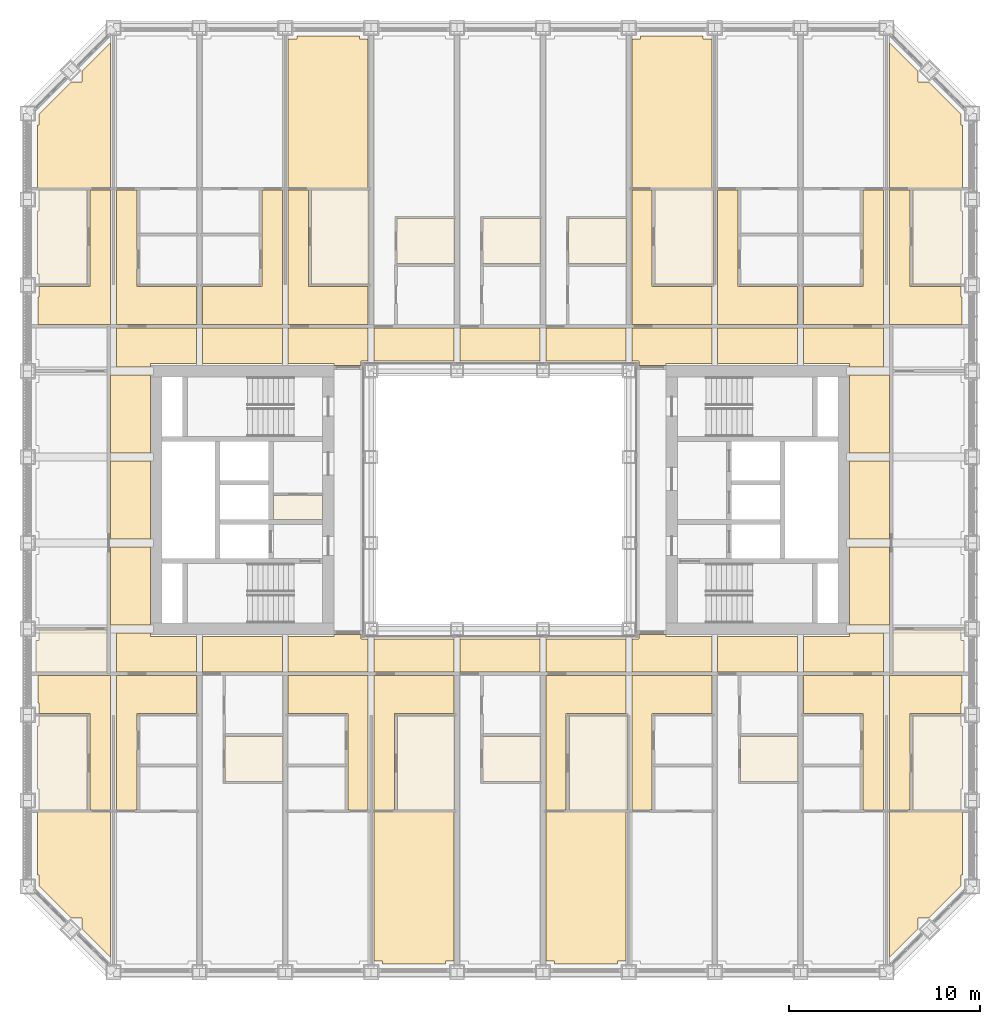
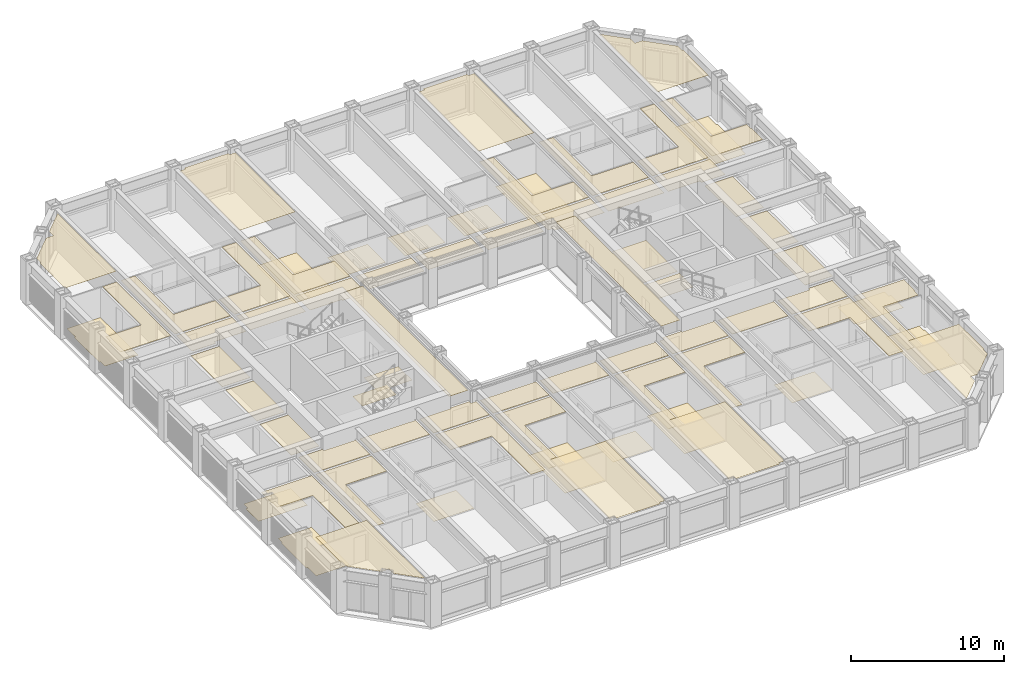
# One storey, part 19 of 21: 3 coverings.
"""IFC4 building model written with IfcOpenShell, lengths in metres."""

from ifc_helpers import new_model, si_unit, direction, frame, origin, place, context, subcontext, project, spatial, line, indexed_curve, outline, extrude, material, layer, layer_set, type_object, element, save


model = new_model("IFC4")

# Units and contexts
model_context = context("Model", 3, precision=1e-05, world=origin(), true_north=direction((0.0, 1.0)))
body_context = subcontext(model_context, "Body", "Model", "MODEL_VIEW")
ifc_project = project(units=[si_unit("LENGTHUNIT", "METRE"), si_unit("AREAUNIT", "SQUARE_METRE"), si_unit("VOLUMEUNIT", "CUBIC_METRE"), si_unit("PLANEANGLEUNIT", "RADIAN"), si_unit("MASSUNIT", "GRAM", prefix="KILO")], contexts=[model_context])

# Site, building, storey
site_placement = place(None, origin())
site = spatial("IfcSite", under=ifc_project, at=site_placement, CompositionType="ELEMENT")
building_placement = place(site_placement, origin())
building = spatial("IfcBuilding", under=site, at=building_placement, Name="Msasa Ring Tower", CompositionType="ELEMENT")
storey_placement = place(building_placement, frame((0.0, 0.0, 40.5)))
storey = spatial("IfcBuildingStorey", under=building, at=storey_placement, Name="L09", CompositionType="ELEMENT", Elevation=40.5)

# Coverings
ifc_material_1 = material(Name="Gypsum plasterboard on a steel suspension grid", Category="steel")
ifc_layer_1 = layer(ifc_material_1, 0.014892578125)
ifc_layer_set_1 = layer_set([ifc_layer_1], Name="C1 SUSPENDED PLASTERBOARD CEILING 15")
covering_type_1 = type_object("IfcCoveringType", Name="C1 SUSPENDED PLASTERBOARD CEILING 15", PredefinedType="CEILING", material=ifc_layer_set_1)
covering_1_placement = place(storey_placement, frame((0.0, 0.0, 2.39990234375)))
element("IfcCovering", 1, at=covering_1_placement, inside=storey, type_object=covering_type_1, Name="Suspended Plasterboard Ceiling 15 circulation L09", PredefinedType="CEILING", context=body_context, shape_type="SweptSolid", body=[
    extrude(outline(indexed_curve([(-21.469482421875, -16.244384765625), (-21.469482421875, -11.199462890625), (-24.1494140625, -11.199462890625), (-24.1494140625, -10.6494140625), (-24.199462890625, -10.6494140625), (-24.199462890625, -9.200439453125), (-20.404296875, -9.200439453125), (-20.404296875, -16.244384765625)], segments=[line(1, 2, 3, 4, 5, 6, 7, 8, 1)], self_intersect=False)), origin(), (0.0, 0.0, 1.0), 0.01513671875),
    extrude(outline(indexed_curve([(-24.199462890625, 9.200439453125), (-24.199462890625, 10.6494140625), (-24.1494140625, 10.6494140625), (-24.1494140625, 11.199462890625), (-21.469482421875, 11.199462890625), (-21.469482421875, 16.244384765625), (-20.404296875, 16.244384765625), (-20.404296875, 9.200439453125)], segments=[line(1, 2, 3, 4, 5, 6, 7, 8, 1)], self_intersect=False)), origin(), (0.0, 0.0, 1.0), 0.01513671875),
    extrude(outline(indexed_curve([(-20.3994140625, -2.460693359375), (-18.300537109375, -2.460693359375), (-18.300537109375, -6.539306640625), (-20.3994140625, -6.539306640625)], segments=[line(1, 2, 3, 4, 1)], self_intersect=False)), origin(), (0.0, 0.0, 1.0), 0.01513671875),
    extrude(outline(indexed_curve([(-20.3994140625, 2.039306640625), (-18.300537109375, 2.039306640625), (-18.300537109375, -2.039306640625), (-20.3994140625, -2.039306640625)], segments=[line(1, 2, 3, 4, 1)], self_intersect=False)), origin(), (0.0, 0.0, 1.0), 0.01513671875),
    extrude(outline(indexed_curve([(-20.3994140625, 6.539306640625), (-18.300537109375, 6.539306640625), (-18.300537109375, 2.460693359375), (-20.3994140625, 2.460693359375)], segments=[line(1, 2, 3, 4, 1)], self_intersect=False)), origin(), (0.0, 0.0, 1.0), 0.01513671875),
    extrude(outline(indexed_curve([(-20.095703125, -16.244384765625), (-20.095703125, -9.200439453125), (-15.904296875, -9.200439453125), (-15.904296875, -11.199462890625), (-19.030517578125, -11.199462890625), (-19.030517578125, -16.244384765625)], segments=[line(1, 2, 3, 4, 5, 6, 1)], self_intersect=False)), origin(), (0.0, 0.0, 1.0), 0.01513671875),
    extrude(outline(indexed_curve([(-20.095703125, -8.99951171875), (-20.095703125, -6.960693359375), (-18.300537109375, -6.960693359375), (-18.300537109375, -7.150390625), (-15.904296875, -7.150390625), (-15.904296875, -8.99951171875)], segments=[line(1, 2, 3, 4, 5, 6, 1)], self_intersect=False)), origin(), (0.0, 0.0, 1.0), 0.01513671875),
    extrude(outline(indexed_curve([(-15.904296875, 8.99951171875), (-15.904296875, 7.150390625), (-18.300537109375, 7.150390625), (-18.300537109375, 6.960693359375), (-20.095703125, 6.960693359375), (-20.095703125, 8.99951171875)], segments=[line(1, 2, 3, 4, 5, 6, 1)], self_intersect=False)), origin(), (0.0, 0.0, 1.0), 0.01513671875),
    extrude(outline(indexed_curve([(-19.030517578125, 16.244384765625), (-19.030517578125, 11.199462890625), (-15.904296875, 11.199462890625), (-15.904296875, 9.200439453125), (-20.095703125, 9.200439453125), (-20.095703125, 16.244384765625)], segments=[line(1, 2, 3, 4, 5, 6, 1)], self_intersect=False)), origin(), (0.0, 0.0, 1.0), 0.01513671875),
    extrude(outline(indexed_curve([(-15.595703125, -8.99951171875), (-15.595703125, -7.150390625), (-11.404296875, -7.150390625), (-11.404296875, -8.99951171875)], segments=[line(1, 2, 3, 4, 1)], self_intersect=False)), origin(), (0.0, 0.0, 1.0), 0.01513671875),
    extrude(outline(indexed_curve([(-11.404296875, 8.99951171875), (-11.404296875, 7.150390625), (-15.595703125, 7.150390625), (-15.595703125, 8.99951171875)], segments=[line(1, 2, 3, 4, 1)], self_intersect=False)), origin(), (0.0, 0.0, 1.0), 0.01513671875),
    extrude(outline(indexed_curve([(-15.595703125, 9.200439453125), (-15.595703125, 11.199462890625), (-12.469482421875, 11.199462890625), (-12.469482421875, 16.244384765625), (-11.404296875, 16.244384765625), (-11.404296875, 9.200439453125)], segments=[line(1, 2, 3, 4, 5, 6, 1)], self_intersect=False)), origin(), (0.0, 0.0, 1.0), 0.01513671875),
    extrude(outline(indexed_curve([(-11.87451171875, -1.275390625), (-9.300537109375, -1.275390625), (-9.300537109375, -3.074462890625), (-11.87451171875, -3.074462890625)], segments=[line(1, 2, 3, 4, 1)], self_intersect=False)), origin(), (0.0, 0.0, 1.0), 0.01513671875),
    extrude(outline(indexed_curve([(-7.969482421875, -16.244384765625), (-7.969482421875, -11.199462890625), (-11.095703125, -11.199462890625), (-11.095703125, -9.200439453125), (-6.904296875, -9.200439453125), (-6.904296875, -16.244384765625)], segments=[line(1, 2, 3, 4, 5, 6, 1)], self_intersect=False)), origin(), (0.0, 0.0, 1.0), 0.01513671875),
    extrude(outline(indexed_curve([(-11.095703125, -8.99951171875), (-11.095703125, -7.150390625), (-8.699462890625, -7.150390625), (-8.699462890625, -7.050537109375), (-7.280029296875, -7.050537109375), (-7.275390625, -7.275390625), (-6.904296875, -7.280029296875), (-6.904296875, -8.99951171875)], segments=[line(1, 2, 3, 4, 5, 6, 7, 8, 1)], self_intersect=False)), origin(), (0.0, 0.0, 1.0), 0.01513671875),
    extrude(outline(indexed_curve([(-6.904296875, 8.99951171875), (-6.904296875, 7.280029296875), (-7.275390625, 7.275390625), (-7.280029296875, 7.050537109375), (-8.699462890625, 7.050537109375), (-8.699462890625, 7.150390625), (-11.095703125, 7.150390625), (-11.095703125, 8.99951171875)], segments=[line(1, 2, 3, 4, 5, 6, 7, 8, 1)], self_intersect=False)), origin(), (0.0, 0.0, 1.0), 0.01513671875),
    extrude(outline(indexed_curve([(-10.030517578125, 16.244384765625), (-10.030517578125, 11.199462890625), (-6.904296875, 11.199462890625), (-6.904296875, 9.200439453125), (-11.095703125, 9.200439453125), (-11.095703125, 16.244384765625)], segments=[line(1, 2, 3, 4, 5, 6, 1)], self_intersect=False)), origin(), (0.0, 0.0, 1.0), 0.01513671875),
    extrude(outline(indexed_curve([(-2.404296875, -9.200439453125), (-2.404296875, -11.199462890625), (-5.530517578125, -11.199462890625), (-5.530517578125, -16.244384765625), (-6.595703125, -16.244384765625), (-6.595703125, -9.200439453125)], segments=[line(1, 2, 3, 4, 5, 6, 1)], self_intersect=False)), origin(), (0.0, 0.0, 1.0), 0.01513671875),
    extrude(outline(indexed_curve([(-6.595703125, -8.99951171875), (-6.595703125, -7.280029296875), (-2.404296875, -7.280029296875), (-2.404296875, -8.99951171875)], segments=[line(1, 2, 3, 4, 1)], self_intersect=False)), origin(), (0.0, 0.0, 1.0), 0.01513671875),
    extrude(outline(indexed_curve([(-2.404296875, 8.99951171875), (-2.404296875, 7.280029296875), (-6.595703125, 7.280029296875), (-6.595703125, 8.99951171875)], segments=[line(1, 2, 3, 4, 1)], self_intersect=False)), origin(), (0.0, 0.0, 1.0), 0.01513671875),
    extrude(outline(indexed_curve([(-2.095703125, -8.99951171875), (-2.095703125, -7.280029296875), (2.095703125, -7.280029296875), (2.095703125, -8.99951171875)], segments=[line(1, 2, 3, 4, 1)], self_intersect=False)), origin(), (0.0, 0.0, 1.0), 0.01513671875),
    extrude(outline(indexed_curve([(2.095703125, 8.99951171875), (2.095703125, 7.280029296875), (-2.095703125, 7.280029296875), (-2.095703125, 8.99951171875)], segments=[line(1, 2, 3, 4, 1)], self_intersect=False)), origin(), (0.0, 0.0, 1.0), 0.01513671875),
    extrude(outline(indexed_curve([(3.469482421875, -11.199462890625), (3.469482421875, -16.244384765625), (2.404296875, -16.244384765625), (2.404296875, -9.200439453125), (6.595703125, -9.200439453125), (6.595703125, -11.199462890625)], segments=[line(1, 2, 3, 4, 5, 6, 1)], self_intersect=False)), origin(), (0.0, 0.0, 1.0), 0.01513671875),
    extrude(outline(indexed_curve([(2.404296875, -8.99951171875), (2.404296875, -7.280029296875), (6.595703125, -7.280029296875), (6.595703125, -8.99951171875)], segments=[line(1, 2, 3, 4, 1)], self_intersect=False)), origin(), (0.0, 0.0, 1.0), 0.01513671875),
    extrude(outline(indexed_curve([(6.595703125, 8.99951171875), (6.595703125, 7.280029296875), (2.404296875, 7.280029296875), (2.404296875, 8.99951171875)], segments=[line(1, 2, 3, 4, 1)], self_intersect=False)), origin(), (0.0, 0.0, 1.0), 0.01513671875),
    extrude(outline(indexed_curve([(11.095703125, -9.200439453125), (11.095703125, -11.199462890625), (7.969482421875, -11.199462890625), (7.969482421875, -16.244384765625), (6.904296875, -16.244384765625), (6.904296875, -9.200439453125)], segments=[line(1, 2, 3, 4, 5, 6, 1)], self_intersect=False)), origin(), (0.0, 0.0, 1.0), 0.01513671875),
    extrude(outline(indexed_curve([(6.904296875, -8.99951171875), (6.904296875, -7.280029296875), (7.275390625, -7.275390625), (7.280029296875, -7.050537109375), (8.699462890625, -7.050537109375), (8.699462890625, -7.150390625), (11.095703125, -7.150390625), (11.095703125, -8.99951171875)], segments=[line(1, 2, 3, 4, 5, 6, 7, 8, 1)], self_intersect=False)), origin(), (0.0, 0.0, 1.0), 0.01513671875),
    extrude(outline(indexed_curve([(11.095703125, 8.99951171875), (11.095703125, 7.150390625), (8.699462890625, 7.150390625), (8.699462890625, 7.050537109375), (7.280029296875, 7.050537109375), (7.275390625, 7.275390625), (6.904296875, 7.280029296875), (6.904296875, 8.99951171875)], segments=[line(1, 2, 3, 4, 5, 6, 7, 8, 1)], self_intersect=False)), origin(), (0.0, 0.0, 1.0), 0.01513671875),
    extrude(outline(indexed_curve([(7.969482421875, 11.199462890625), (11.095703125, 11.199462890625), (11.095703125, 9.200439453125), (6.904296875, 9.200439453125), (6.904296875, 16.244384765625), (7.969482421875, 16.244384765625)], segments=[line(1, 2, 3, 4, 5, 6, 1)], self_intersect=False)), origin(), (0.0, 0.0, 1.0), 0.01513671875),
    extrude(outline(indexed_curve([(9.300537109375, -1.275390625), (11.87451171875, -1.275390625), (11.87451171875, -3.074462890625), (9.300537109375, -3.074462890625)], segments=[line(1, 2, 3, 4, 1)], self_intersect=False)), origin(), (0.0, 0.0, 1.0), 0.01513671875),
    extrude(outline(indexed_curve([(9.300537109375, -1.0244140625), (9.300537109375, 3.074462890625), (11.87451171875, 3.074462890625), (11.87451171875, -1.0244140625)], segments=[line(1, 2, 3, 4, 1)], self_intersect=False)), origin(), (0.0, 0.0, 1.0), 0.01513671875),
    extrude(outline(indexed_curve([(11.404296875, -8.99951171875), (11.404296875, -7.150390625), (15.595703125, -7.150390625), (15.595703125, -8.99951171875)], segments=[line(1, 2, 3, 4, 1)], self_intersect=False)), origin(), (0.0, 0.0, 1.0), 0.01513671875),
    extrude(outline(indexed_curve([(15.595703125, 8.99951171875), (15.595703125, 7.150390625), (11.404296875, 7.150390625), (11.404296875, 8.99951171875)], segments=[line(1, 2, 3, 4, 1)], self_intersect=False)), origin(), (0.0, 0.0, 1.0), 0.01513671875),
    extrude(outline(indexed_curve([(12.469482421875, 16.244384765625), (12.469482421875, 11.199462890625), (15.595703125, 11.199462890625), (15.595703125, 9.200439453125), (11.404296875, 9.200439453125), (11.404296875, 16.244384765625)], segments=[line(1, 2, 3, 4, 5, 6, 1)], self_intersect=False)), origin(), (0.0, 0.0, 1.0), 0.01513671875),
    extrude(outline(indexed_curve([(19.030517578125, -16.244384765625), (19.030517578125, -11.199462890625), (15.904296875, -11.199462890625), (15.904296875, -9.200439453125), (20.095703125, -9.200439453125), (20.095703125, -16.244384765625)], segments=[line(1, 2, 3, 4, 5, 6, 1)], self_intersect=False)), origin(), (0.0, 0.0, 1.0), 0.01513671875),
    extrude(outline(indexed_curve([(15.904296875, -8.99951171875), (15.904296875, -7.150390625), (18.300537109375, -7.150390625), (18.300537109375, -6.960693359375), (20.095703125, -6.960693359375), (20.095703125, -8.99951171875)], segments=[line(1, 2, 3, 4, 5, 6, 1)], self_intersect=False)), origin(), (0.0, 0.0, 1.0), 0.01513671875),
    extrude(outline(indexed_curve([(20.095703125, 8.99951171875), (20.095703125, 6.960693359375), (18.300537109375, 6.960693359375), (18.300537109375, 7.150390625), (15.904296875, 7.150390625), (15.904296875, 8.99951171875)], segments=[line(1, 2, 3, 4, 5, 6, 1)], self_intersect=False)), origin(), (0.0, 0.0, 1.0), 0.01513671875),
    extrude(outline(indexed_curve([(15.904296875, 9.200439453125), (15.904296875, 11.199462890625), (19.030517578125, 11.199462890625), (19.030517578125, 16.244384765625), (20.095703125, 16.244384765625), (20.095703125, 9.200439453125)], segments=[line(1, 2, 3, 4, 5, 6, 1)], self_intersect=False)), origin(), (0.0, 0.0, 1.0), 0.01513671875),
    extrude(outline(indexed_curve([(20.3994140625, -6.539306640625), (18.300537109375, -6.539306640625), (18.300537109375, -2.460693359375), (20.3994140625, -2.460693359375)], segments=[line(1, 2, 3, 4, 1)], self_intersect=False)), origin(), (0.0, 0.0, 1.0), 0.01513671875),
    extrude(outline(indexed_curve([(20.3994140625, -2.039306640625), (18.300537109375, -2.039306640625), (18.300537109375, 2.039306640625), (20.3994140625, 2.039306640625)], segments=[line(1, 2, 3, 4, 1)], self_intersect=False)), origin(), (0.0, 0.0, 1.0), 0.01513671875),
    extrude(outline(indexed_curve([(20.3994140625, 2.460693359375), (18.300537109375, 2.460693359375), (18.300537109375, 6.539306640625), (20.3994140625, 6.539306640625)], segments=[line(1, 2, 3, 4, 1)], self_intersect=False)), origin(), (0.0, 0.0, 1.0), 0.01513671875),
    extrude(outline(indexed_curve([(24.199462890625, -9.200439453125), (24.199462890625, -10.6494140625), (24.1494140625, -10.6494140625), (24.1494140625, -11.199462890625), (21.469482421875, -11.199462890625), (21.469482421875, -16.244384765625), (20.404296875, -16.244384765625), (20.404296875, -9.200439453125)], segments=[line(1, 2, 3, 4, 5, 6, 7, 8, 1)], self_intersect=False)), origin(), (0.0, 0.0, 1.0), 0.01513671875),
    extrude(outline(indexed_curve([(21.469482421875, 16.244384765625), (21.469482421875, 11.199462890625), (24.1494140625, 11.199462890625), (24.1494140625, 10.6494140625), (24.199462890625, 10.6494140625), (24.199462890625, 9.200439453125), (20.404296875, 9.200439453125), (20.404296875, 16.244384765625)], segments=[line(1, 2, 3, 4, 5, 6, 7, 8, 1)], self_intersect=False)), origin(), (0.0, 0.0, 1.0), 0.01513671875),
])
covering_2_placement = place(storey_placement, frame((0.0, 0.0, 3.175048828125)))
element("IfcCovering", 2, at=covering_2_placement, inside=storey, type_object=covering_type_1, Name="Suspended Plasterboard Ceiling 15 public rooms L09", PredefinedType="CEILING", context=body_context, shape_type="SweptSolid", body=[
    extrude(outline(indexed_curve([(-24.239501953125, -16.35546875), (-20.404296875, -16.35546875), (-20.404296875, -23.95849609375), (-21.8994140625, -22.46337890625), (-21.8994140625, -21.8994140625), (-22.46337890625, -21.8994140625), (-24.1494140625, -20.21337890625), (-24.1494140625, -19.6494140625), (-24.239501953125, -19.6494140625)], segments=[line(1, 2, 3, 4, 5, 6, 7, 8, 9, 1)], self_intersect=False)), origin(), (0.0, 0.0, 1.0), 0.014892578125),
    extrude(outline(indexed_curve([(-24.239501953125, 16.35546875), (-24.239501953125, 19.6494140625), (-24.1494140625, 19.6494140625), (-24.1494140625, 20.21337890625), (-22.46337890625, 21.8994140625), (-21.8994140625, 21.8994140625), (-21.8994140625, 22.46337890625), (-20.404296875, 23.95849609375), (-20.404296875, 16.35546875)], segments=[line(1, 2, 3, 4, 5, 6, 7, 8, 9, 1)], self_intersect=False)), origin(), (0.0, 0.0, 1.0), 0.014892578125),
    extrude(outline(indexed_curve([(-11.095703125, 16.35546875), (-11.095703125, 24.1494140625), (-10.6494140625, 24.1494140625), (-10.6494140625, 24.299560546875), (-7.3505859375, 24.299560546875), (-7.3505859375, 24.1494140625), (-6.904296875, 24.1494140625), (-6.904296875, 16.35546875)], segments=[line(1, 2, 3, 4, 5, 6, 7, 8, 1)], self_intersect=False)), origin(), (0.0, 0.0, 1.0), 0.014892578125),
    extrude(outline(indexed_curve([(-8.699462890625, 6.849609375), (-7.280029296875, 6.849609375), (-7.280029296875, -6.849609375), (-8.699462890625, -6.849609375)], segments=[line(1, 2, 3, 4, 1)], self_intersect=False)), origin(), (0.0, 0.0, 1.0), 0.014892578125),
    extrude(outline(indexed_curve([(-2.404296875, -16.35546875), (-2.404296875, -24.1494140625), (-2.8505859375, -24.1494140625), (-2.8505859375, -24.299560546875), (-6.1494140625, -24.299560546875), (-6.1494140625, -24.1494140625), (-6.595703125, -24.1494140625), (-6.595703125, -16.35546875)], segments=[line(1, 2, 3, 4, 5, 6, 7, 8, 1)], self_intersect=False)), origin(), (0.0, 0.0, 1.0), 0.014892578125),
    extrude(outline(indexed_curve([(6.595703125, -16.35546875), (6.595703125, -24.1494140625), (6.1494140625, -24.1494140625), (6.1494140625, -24.299560546875), (2.8505859375, -24.299560546875), (2.8505859375, -24.1494140625), (2.404296875, -24.1494140625), (2.404296875, -16.35546875)], segments=[line(1, 2, 3, 4, 5, 6, 7, 8, 1)], self_intersect=False)), origin(), (0.0, 0.0, 1.0), 0.014892578125),
    extrude(outline(indexed_curve([(6.904296875, 16.35546875), (6.904296875, 24.1494140625), (7.3505859375, 24.1494140625), (7.3505859375, 24.299560546875), (10.6494140625, 24.299560546875), (10.6494140625, 24.1494140625), (11.095703125, 24.1494140625), (11.095703125, 16.35546875)], segments=[line(1, 2, 3, 4, 5, 6, 7, 8, 1)], self_intersect=False)), origin(), (0.0, 0.0, 1.0), 0.014892578125),
    extrude(outline(indexed_curve([(7.280029296875, -6.849609375), (7.280029296875, 6.849609375), (8.699462890625, 6.849609375), (8.699462890625, -6.849609375)], segments=[line(1, 2, 3, 4, 1)], self_intersect=False)), origin(), (0.0, 0.0, 1.0), 0.014892578125),
    extrude(outline(indexed_curve([(24.239501953125, -16.35546875), (24.239501953125, -19.6494140625), (24.1494140625, -19.6494140625), (24.1494140625, -20.21337890625), (22.46337890625, -21.8994140625), (21.8994140625, -21.8994140625), (21.8994140625, -22.46337890625), (20.404296875, -23.95849609375), (20.404296875, -16.35546875)], segments=[line(1, 2, 3, 4, 5, 6, 7, 8, 9, 1)], self_intersect=False)), origin(), (0.0, 0.0, 1.0), 0.014892578125),
    extrude(outline(indexed_curve([(24.239501953125, 16.35546875), (20.404296875, 16.35546875), (20.404296875, 23.95849609375), (21.8994140625, 22.46337890625), (21.8994140625, 21.8994140625), (22.46337890625, 21.8994140625), (24.1494140625, 20.21337890625), (24.1494140625, 19.6494140625), (24.239501953125, 19.6494140625)], segments=[line(1, 2, 3, 4, 5, 6, 7, 8, 9, 1)], self_intersect=False)), origin(), (0.0, 0.0, 1.0), 0.014892578125),
])
ifc_material_2 = material(Name="Welded vinyl safety sheet flooring", Category="vinyl")
ifc_layer_2 = layer(ifc_material_2, 0.0029296875)
ifc_layer_set_2 = layer_set([ifc_layer_2], Name="F5 RESILIENT SHEET FLOORING 3")
covering_type_2 = type_object("IfcCoveringType", Name="F5 RESILIENT SHEET FLOORING 3", PredefinedType="FLOORING", material=ifc_layer_set_2)
covering_3_placement = place(storey_placement, origin())
element("IfcCovering", 3, at=covering_3_placement, inside=storey, type_object=covering_type_2, Name="Resilient Sheet Flooring 3 L09", PredefinedType="FLOORING", context=body_context, shape_type="SweptSolid", body=[
    extrude(outline(indexed_curve([(-24.299560546875, -8.99951171875), (-24.299560546875, -7.3505859375), (-24.1494140625, -7.3505859375), (-24.1494140625, -6.805419921875), (-20.6005859375, -6.805419921875), (-20.6005859375, -8.99951171875)], segments=[line(1, 2, 3, 4, 5, 6, 1)], self_intersect=False)), origin(), (0.0, 0.0, 1.0), 0.0029296875),
    extrude(outline(indexed_curve([(-21.630615234375, -11.305419921875), (-21.630615234375, -16.244384765625), (-24.1494140625, -16.244384765625), (-24.1494140625, -15.1494140625), (-24.239501953125, -15.1494140625), (-24.239501953125, -11.8505859375), (-24.1494140625, -11.8505859375), (-24.1494140625, -11.305419921875)], segments=[line(1, 2, 3, 4, 5, 6, 7, 8, 1)], self_intersect=False)), origin(), (0.0, 0.0, 1.0), 0.0029296875),
    extrude(outline(indexed_curve([(-21.630615234375, 16.244384765625), (-21.630615234375, 11.305419921875), (-24.1494140625, 11.305419921875), (-24.1494140625, 11.8505859375), (-24.239501953125, 11.8505859375), (-24.239501953125, 15.1494140625), (-24.1494140625, 15.1494140625), (-24.1494140625, 16.244384765625)], segments=[line(1, 2, 3, 4, 5, 6, 7, 8, 1)], self_intersect=False)), origin(), (0.0, 0.0, 1.0), 0.0029296875),
    extrude(outline(indexed_curve([(-11.37548828125, -12.380615234375), (-11.37548828125, -14.744384765625), (-14.3994140625, -14.744384765625), (-14.3994140625, -12.380615234375)], segments=[line(1, 2, 3, 4, 1)], self_intersect=False)), origin(), (0.0, 0.0, 1.0), 0.0029296875),
    extrude(outline(indexed_curve([(-9.300537109375, 0.244384765625), (-9.300537109375, -1.0244140625), (-11.87451171875, -1.0244140625), (-11.87451171875, 0.244384765625)], segments=[line(1, 2, 3, 4, 1)], self_intersect=False)), origin(), (0.0, 0.0, 1.0), 0.0029296875),
    extrude(outline(indexed_curve([(-6.87548828125, 16.244384765625), (-6.87548828125, 11.305419921875), (-9.869384765625, 11.305419921875), (-9.869384765625, 16.244384765625)], segments=[line(1, 2, 3, 4, 1)], self_intersect=False)), origin(), (0.0, 0.0, 1.0), 0.0029296875),
    extrude(outline(indexed_curve([(-2.37548828125, 14.744384765625), (-2.37548828125, 12.380615234375), (-5.3994140625, 12.380615234375), (-5.3994140625, 14.744384765625)], segments=[line(1, 2, 3, 4, 1)], self_intersect=False)), origin(), (0.0, 0.0, 1.0), 0.0029296875),
    extrude(outline(indexed_curve([(-2.37548828125, -11.305419921875), (-2.37548828125, -16.244384765625), (-5.369384765625, -16.244384765625), (-5.369384765625, -11.305419921875)], segments=[line(1, 2, 3, 4, 1)], self_intersect=False)), origin(), (0.0, 0.0, 1.0), 0.0029296875),
    extrude(outline(indexed_curve([(2.12451171875, -12.380615234375), (2.12451171875, -14.744384765625), (-0.8994140625, -14.744384765625), (-0.8994140625, -12.380615234375)], segments=[line(1, 2, 3, 4, 1)], self_intersect=False)), origin(), (0.0, 0.0, 1.0), 0.0029296875),
    extrude(outline(indexed_curve([(2.12451171875, 14.744384765625), (2.12451171875, 12.380615234375), (-0.8994140625, 12.380615234375), (-0.8994140625, 14.744384765625)], segments=[line(1, 2, 3, 4, 1)], self_intersect=False)), origin(), (0.0, 0.0, 1.0), 0.0029296875),
    extrude(outline(indexed_curve([(6.62451171875, 14.744384765625), (6.62451171875, 12.380615234375), (3.6005859375, 12.380615234375), (3.6005859375, 14.744384765625)], segments=[line(1, 2, 3, 4, 1)], self_intersect=False)), origin(), (0.0, 0.0, 1.0), 0.0029296875),
    extrude(outline(indexed_curve([(6.689453125, -11.305419921875), (6.689453125, -16.244384765625), (3.630615234375, -16.244384765625), (3.630615234375, -11.305419921875)], segments=[line(1, 2, 3, 4, 1)], self_intersect=False)), origin(), (0.0, 0.0, 1.0), 0.0029296875),
    extrude(outline(indexed_curve([(11.189453125, 11.305419921875), (8.130615234375, 11.305419921875), (8.130615234375, 16.244384765625), (11.189453125, 16.244384765625)], segments=[line(1, 2, 3, 4, 1)], self_intersect=False)), origin(), (0.0, 0.0, 1.0), 0.0029296875),
    extrude(outline(indexed_curve([(15.62451171875, -12.380615234375), (15.62451171875, -14.744384765625), (12.6005859375, -14.744384765625), (12.6005859375, -12.380615234375)], segments=[line(1, 2, 3, 4, 1)], self_intersect=False)), origin(), (0.0, 0.0, 1.0), 0.0029296875),
    extrude(outline(indexed_curve([(20.6005859375, -6.805419921875), (24.1494140625, -6.805419921875), (24.1494140625, -7.3505859375), (24.299560546875, -7.3505859375), (24.299560546875, -8.99951171875), (20.6005859375, -8.99951171875)], segments=[line(1, 2, 3, 4, 5, 6, 1)], self_intersect=False)), origin(), (0.0, 0.0, 1.0), 0.0029296875),
    extrude(outline(indexed_curve([(24.1494140625, -11.305419921875), (24.1494140625, -11.8505859375), (24.239501953125, -11.8505859375), (24.239501953125, -15.1494140625), (24.1494140625, -15.1494140625), (24.1494140625, -16.244384765625), (21.630615234375, -16.244384765625), (21.630615234375, -11.305419921875)], segments=[line(1, 2, 3, 4, 5, 6, 7, 8, 1)], self_intersect=False)), origin(), (0.0, 0.0, 1.0), 0.0029296875),
    extrude(outline(indexed_curve([(24.239501953125, 11.8505859375), (24.1494140625, 11.8505859375), (24.1494140625, 11.305419921875), (21.630615234375, 11.305419921875), (21.630615234375, 16.244384765625), (24.1494140625, 16.244384765625), (24.1494140625, 15.1494140625), (24.239501953125, 15.1494140625)], segments=[line(1, 2, 3, 4, 5, 6, 7, 8, 1)], self_intersect=False)), origin(), (0.0, 0.0, 1.0), 0.0029296875),
])

save(model, "model.ifc")
